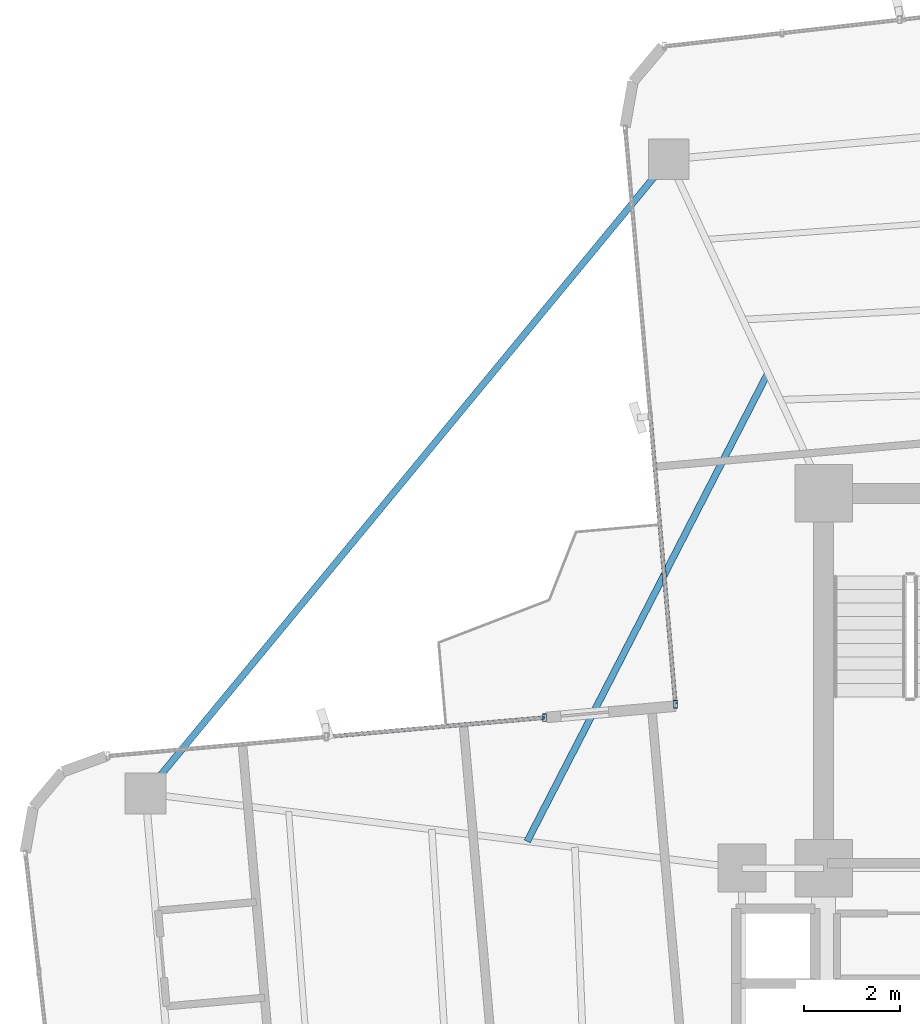
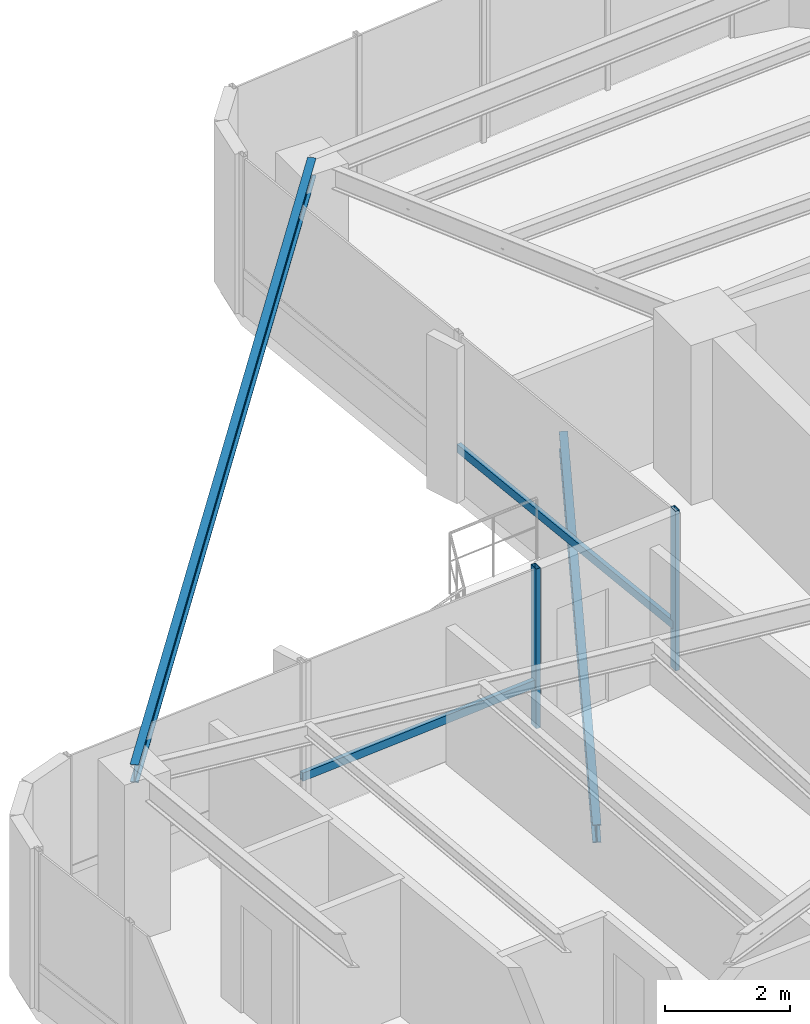
# One storey, part 10 of 24: 4 members, 2 beams, 2 elements without a shape of their own.
"""IFC4 building model written with IfcOpenShell, lengths in metres."""

from ifc_helpers import new_model, si_unit, direction, frame, origin, origin_2d, place, context, subcontext, project, spatial, hollow_rectangle, i_section, extrude, source, transform, mapped, material, material_profile, profile_set, type_object, element, aggregate, save


model = new_model("IFC4")

# Units and contexts
model_context = context("Model", 3, precision=1e-05, world=origin(), true_north=direction((0.0, 1.0)))
body_context = subcontext(model_context, "Body", "Model", "MODEL_VIEW")
ifc_project = project(units=[si_unit("LENGTHUNIT", "METRE"), si_unit("AREAUNIT", "SQUARE_METRE"), si_unit("VOLUMEUNIT", "CUBIC_METRE"), si_unit("PLANEANGLEUNIT", "RADIAN"), si_unit("MASSUNIT", "GRAM", prefix="KILO")], contexts=[model_context])

# Site, building, storey
site_placement = place(None, origin())
site = spatial("IfcSite", under=ifc_project, at=site_placement, CompositionType="ELEMENT")
building_placement = place(site_placement, origin())
building = spatial("IfcBuilding", under=site, at=building_placement, Name="Sahyath Konkavel Grand Hotel", CompositionType="ELEMENT")
storey_placement = place(building_placement, frame((0.0, 0.0, 195.300048828125)))
storey = spatial("IfcBuildingStorey", under=building, at=storey_placement, Name="L54", CompositionType="ELEMENT", Elevation=195.300048828125)

# Beam
ifc_material_1 = material(Name="Steel E350", Category="steel")
ifc_material_profile_1 = material_profile(ifc_material_1, i_section(OverallWidth=0.139892578125, OverallDepth=0.35009765625, WebThickness=0.008056640625, FlangeThickness=0.01416015625, FilletRadius=0.013916015625, at=origin_2d()), Name="ISMB 350")
ifc_profile_set_1 = profile_set([ifc_material_profile_1], Name="Steel E350")
beam_type_1 = type_object("IfcBeamType", Name="BM-ISMB350", PredefinedType="BEAM", material=ifc_profile_set_1)
shared_shape_1 = source(origin(), body_context, "Body", "SweptSolid", [
    extrude(i_section(OverallWidth=0.139892578125, OverallDepth=0.35009765625, WebThickness=0.008056640625, FlangeThickness=0.01416015625, FilletRadius=0.013916015625, at=origin_2d()), origin(), (0.0, 0.0, 1.0), 17.112548828125),
])
beam_1_placement = place(storey_placement, frame((-7.021728515625, 17.1533203125, 2.93505859375), z_axis=(-0.636437070092, -0.77132863023, 0.0), x_axis=(0.77132863023, -0.636437070092, 0.0)))
element("IfcBeam", 1, at=beam_1_placement, inside=storey, type_object=beam_type_1, Name="L54 Re-Entrant Tie Beam NW", PredefinedType="BEAM", context=body_context, shape_type="MappedRepresentation", body=[
    mapped(shared_shape_1, transform((0.0, 0.0, 0.0), scale=1.0)),
])

# Curtain wall, member
ifc_material_2 = material(Name="Anodised Bronze Aluminium & Low-E Glazing", Category="aluminium")
curtain_wall_type = type_object("IfcCurtainWallType", Name="CW-ZONE3", PredefinedType="NOTDEFINED", material=ifc_material_2)
curtain_wall_1_placement = place(storey_placement, origin())
curtain_wall_1 = element("IfcCurtainWall", 2, at=curtain_wall_1_placement, inside=storey, type_object=curtain_wall_type, Name="L54 Unitised Curtain Wall F15", PredefinedType="NOTDEFINED")
ifc_material_3 = material(Name="Anodised Bronze Aluminium", Category="aluminium")
ifc_material_profile_2 = material_profile(ifc_material_3, hollow_rectangle(XDim=0.080078125, YDim=0.159912109375, WallThickness=0.006103515625, at=origin_2d()), Name="RHS 160x80x6")
ifc_profile_set_2 = profile_set([ifc_material_profile_2], Name="Anodised Bronze Aluminium")
member_type_1 = type_object("IfcMemberType", Name="CW-MUL-160", PredefinedType="MULLION", material=ifc_profile_set_2)
shared_shape_2 = source(origin(), body_context, "Body", "SweptSolid", [
    extrude(hollow_rectangle(XDim=0.080078125, YDim=0.159912109375, WallThickness=0.006103515625, at=origin_2d()), origin(), (0.0, 0.0, 1.0), 3.10986328125),
])
member_1_placement = place(storey_placement, frame((-6.8828125, 5.812255859375, 0.0), z_axis=(0.0, 0.0, 1.0), x_axis=(1.0, 0.0, 0.0)))
member_1 = element("IfcMember", 3, at=member_1_placement, type_object=member_type_1, Name="L54 Curtain Wall Mullion F15-2", PredefinedType="MULLION", context=body_context, shape_type="MappedRepresentation", body=[
    mapped(shared_shape_2, transform((0.0, 0.0, 0.0), scale=1.0)),
])

# Curtain wall, members
curtain_wall_2_placement = place(storey_placement, origin())
curtain_wall_2 = element("IfcCurtainWall", 4, at=curtain_wall_2_placement, inside=storey, type_object=curtain_wall_type, Name="L54 Unitised Curtain Wall F16", PredefinedType="NOTDEFINED")
member_2_placement = place(storey_placement, frame((-9.60888671875, 5.53369140625, 0.0), z_axis=(0.0, 0.0, 1.0), x_axis=(1.0, 0.0, 0.0)))
member_2 = element("IfcMember", 5, at=member_2_placement, type_object=member_type_1, Name="L54 Curtain Wall Mullion F16-0", PredefinedType="MULLION", context=body_context, shape_type="MappedRepresentation", body=[
    mapped(shared_shape_2, transform((0.0, 0.0, 0.0), scale=1.0)),
])
ifc_material_profile_3 = material_profile(ifc_material_3, hollow_rectangle(XDim=0.080078125, YDim=0.159912109375, WallThickness=0.006103515625, at=origin_2d()), Name="RHS 160x80x6")
ifc_profile_set_3 = profile_set([ifc_material_profile_3], Name="Anodised Bronze Aluminium")
member_type_2 = type_object("IfcMemberType", Name="CW-TRN-160", PredefinedType="USERDEFINED", material=ifc_profile_set_3)
shared_shape_3 = source(origin(), body_context, "Body", "SweptSolid", [
    extrude(hollow_rectangle(XDim=0.080078125, YDim=0.159912109375, WallThickness=0.006103515625, at=origin_2d()), origin(), (0.0, 0.0, 1.0), 4.56005859375),
])
member_3_placement = place(storey_placement, frame((-9.60888671875, 5.53369140625, 0.849853515625), z_axis=(-0.996189590376, -0.087214104516, 0.0), x_axis=(0.087214104516, -0.996189590376, 0.0)))
member_3 = element("IfcMember", 6, at=member_3_placement, type_object=member_type_2, Name="L54 Curtain Wall Transom F16-0-spandrel", ObjectType="TRANSOM", PredefinedType="USERDEFINED", context=body_context, shape_type="MappedRepresentation", body=[
    mapped(shared_shape_3, transform((0.0, 0.0, 0.0), scale=1.0)),
])
aggregate(curtain_wall_2, [member_2, member_3])

# Member
shared_shape_4 = source(origin(), body_context, "Body", "SweptSolid", [
    extrude(hollow_rectangle(XDim=0.080078125, YDim=0.159912109375, WallThickness=0.006103515625, at=origin_2d()), origin(), (0.0, 0.0, 1.0), 6.010009765625),
])
member_4_placement = place(storey_placement, frame((-7.406494140625, 11.79931640625, 0.849853515625), z_axis=(0.087136210597, -0.996196406741, 0.0), x_axis=(0.996196406741, 0.087136210597, 0.0)))
member_4 = element("IfcMember", 7, at=member_4_placement, type_object=member_type_2, Name="L54 Curtain Wall Transom F15-1-spandrel", ObjectType="TRANSOM", PredefinedType="USERDEFINED", context=body_context, shape_type="MappedRepresentation", body=[
    mapped(shared_shape_4, transform((0.0, 0.0, 0.0), scale=1.0)),
])

aggregate(curtain_wall_1, [member_1, member_4])

# Beam
ifc_material_profile_4 = material_profile(ifc_material_1, i_section(OverallWidth=0.139892578125, OverallDepth=0.35009765625, WebThickness=0.008056640625, FlangeThickness=0.01416015625, FilletRadius=0.013916015625, at=origin_2d()), Name="ISMB 350")
ifc_profile_set_4 = profile_set([ifc_material_profile_4], Name="Steel E350")
beam_type_2 = type_object("IfcBeamType", Name="BM-BALC-CANT", PredefinedType="BEAM", material=ifc_profile_set_4)
shared_shape_5 = source(origin(), body_context, "Body", "SweptSolid", [
    extrude(i_section(OverallWidth=0.139892578125, OverallDepth=0.35009765625, WebThickness=0.008056640625, FlangeThickness=0.01416015625, FilletRadius=0.013916015625, at=origin_2d()), origin(), (0.0, 0.0, 1.0), 10.95556640625),
])
beam_2_placement = place(storey_placement, frame((-4.959716796875, 12.703125, -0.4150390625), z_axis=(-0.457186878355, -0.889370652912, 0.0), x_axis=(0.889370652912, -0.457186878355, 0.0)))
element("IfcBeam", 8, at=beam_2_placement, inside=storey, type_object=beam_type_2, Name="L54 Balcony Cantilever Support Beam NW", PredefinedType="BEAM", context=body_context, shape_type="MappedRepresentation", body=[
    mapped(shared_shape_5, transform((0.0, 0.0, 0.0), scale=1.0)),
])

save(model, "model.ifc")
